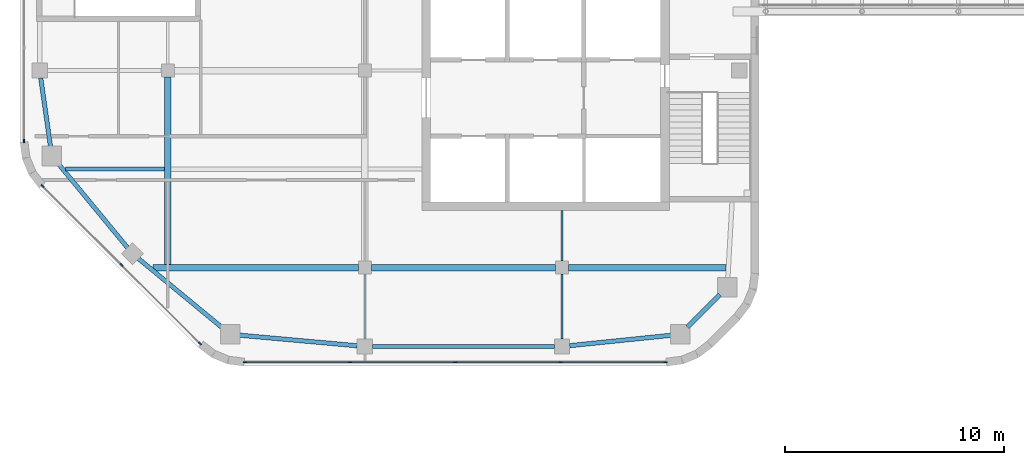
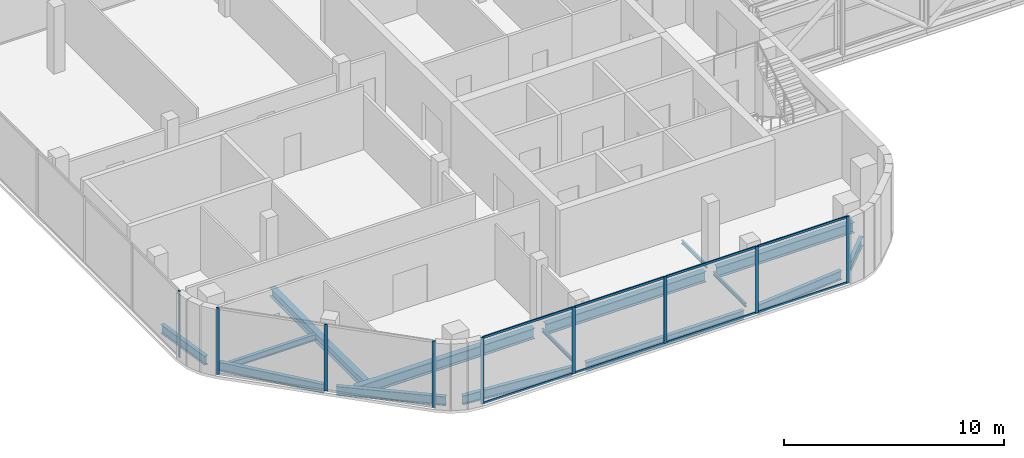
# One storey, part 2 of 21: 17 members, 15 beams, 3 elements without a shape of their own.
"""IFC4 building model written with IfcOpenShell, lengths in metres."""

from ifc_helpers import new_model, si_unit, direction, frame, origin, origin_2d, place, context, subcontext, project, spatial, rectangle, i_section, extrude, material, material_profile, profile_set, type_object, element, aggregate, save


model = new_model("IFC4")

# Units and contexts
model_context = context("Model", 3, precision=1e-05, world=origin(), true_north=direction((0.0, 1.0)))
body_context = subcontext(model_context, "Body", "Model", "MODEL_VIEW")
ifc_project = project(units=[si_unit("LENGTHUNIT", "METRE"), si_unit("AREAUNIT", "SQUARE_METRE"), si_unit("VOLUMEUNIT", "CUBIC_METRE"), si_unit("PLANEANGLEUNIT", "RADIAN"), si_unit("MASSUNIT", "GRAM", prefix="KILO")], contexts=[model_context])

# Site, building, storey
site_placement = place(None, origin())
site = spatial("IfcSite", under=ifc_project, at=site_placement, CompositionType="ELEMENT")
building_placement = place(site_placement, origin())
building = spatial("IfcBuilding", under=site, at=building_placement, Name="Cinnabar Reach Civic Tower", CompositionType="ELEMENT")
storey_placement = place(building_placement, frame((0.0, 0.0, 140.0)))
storey = spatial("IfcBuildingStorey", under=building, at=storey_placement, Name="L33", CompositionType="ELEMENT", Elevation=140.0)

# Beams
ifc_material_1 = material(Name="Steel Q355B", Category="steel")
ifc_material_profile_1 = material_profile(ifc_material_1, i_section(OverallWidth=0.3, OverallDepth=0.488, WebThickness=0.011, FlangeThickness=0.018, FilletRadius=0.016, at=origin_2d()), Name="HM488x300x11x18")
ifc_profile_set_1 = profile_set([ifc_material_profile_1], Name="Steel Q355B")
beam_type_1 = type_object("IfcBeamType", Name="HM488x300x11x18 beam R 120", PredefinedType="BEAM", material=ifc_profile_set_1)
beam_1_placement = place(storey_placement, frame((-54.0, 18.152, -0.394), z_axis=(0.0, 1.0, 0.0), x_axis=(-1.0, 0.0, 0.0)))
element("IfcBeam", 1, at=beam_1_placement, inside=storey, type_object=beam_type_1, Name="Girder T2 L33 1", PredefinedType="BEAM", context=body_context, shape_type="SweptSolid", body=[
    extrude(i_section(OverallWidth=0.3, OverallDepth=0.488, WebThickness=0.011, FlangeThickness=0.018, FilletRadius=0.016, at=origin_2d()), origin(), (0.0, 0.0, 1.0), 8.546),
])
ifc_material_profile_2 = material_profile(ifc_material_1, i_section(OverallWidth=0.3, OverallDepth=0.588, WebThickness=0.012, FlangeThickness=0.02, FilletRadius=0.016, at=origin_2d()), Name="HM588x300x12x20")
ifc_profile_set_2 = profile_set([ifc_material_profile_2], Name="Steel Q355B")
beam_type_2 = type_object("IfcBeamType", Name="HM588x300x12x20 beam R 120", PredefinedType="BEAM", material=ifc_profile_set_2)
beam_2_placement = place(storey_placement, frame((-54.6818, 18.0, -0.444), z_axis=(1.0, 0.0, 0.0), x_axis=(0.0, 1.0, 0.0)))
element("IfcBeam", 2, at=beam_2_placement, inside=storey, type_object=beam_type_2, Name="Girder T2 L33 1", PredefinedType="BEAM", context=body_context, shape_type="SweptSolid", body=[
    extrude(i_section(OverallWidth=0.3, OverallDepth=0.588, WebThickness=0.012, FlangeThickness=0.02, FilletRadius=0.016, at=origin_2d()), origin(), (0.0, 0.0, 1.0), 9.3798),
])
beam_3_placement = place(storey_placement, frame((-44.698, 18.0, -0.444), z_axis=(1.0, 0.0, 0.0), x_axis=(0.0, 1.0, 0.0)))
element("IfcBeam", 3, at=beam_3_placement, inside=storey, type_object=beam_type_2, Name="Girder T2 L33 2", PredefinedType="BEAM", context=body_context, shape_type="SweptSolid", body=[
    extrude(i_section(OverallWidth=0.3, OverallDepth=0.588, WebThickness=0.012, FlangeThickness=0.02, FilletRadius=0.016, at=origin_2d()), origin(), (0.0, 0.0, 1.0), 8.396),
])
beam_4_placement = place(storey_placement, frame((-35.698, 18.0, -0.444), z_axis=(1.0, 0.0, 0.0), x_axis=(0.0, 1.0, 0.0)))
element("IfcBeam", 4, at=beam_4_placement, inside=storey, type_object=beam_type_2, Name="Girder T2 L33 3", PredefinedType="BEAM", context=body_context, shape_type="SweptSolid", body=[
    extrude(i_section(OverallWidth=0.3, OverallDepth=0.588, WebThickness=0.012, FlangeThickness=0.02, FilletRadius=0.016, at=origin_2d()), origin(), (0.0, 0.0, 1.0), 7.1929),
])
ifc_material_profile_3 = material_profile(ifc_material_1, i_section(OverallWidth=0.099, OverallDepth=0.198, WebThickness=0.0045, FlangeThickness=0.007, FilletRadius=0.013, at=origin_2d()), Name="HN200x100x5.5x8")
ifc_profile_set_3 = profile_set([ifc_material_profile_3], Name="Steel Q355B")
beam_type_3 = type_object("IfcBeamType", Name="HN200x100x5.5x8 beam R 120", PredefinedType="BEAM", material=ifc_profile_set_3)
for number, where, z_axis, x_axis, name in (
    (5, (-45.0, 14.752, -0.249), (0.0, 1.0, 0.0), (-1.0, 0.0, 0.0), "Girder T2 L33 6"),
    (6, (-36.0, 14.752, -0.249), (0.0, 1.0, 0.0), (-1.0, 0.0, 0.0), "Girder T2 L33 11"),
):
    element("IfcBeam", number, at=place(storey_placement, frame(where, z_axis=z_axis, x_axis=x_axis)), inside=storey, type_object=beam_type_3, Name=name, PredefinedType="BEAM", context=body_context, shape_type="SweptSolid", body=[
        extrude(i_section(OverallWidth=0.099, OverallDepth=0.198, WebThickness=0.0045, FlangeThickness=0.007, FilletRadius=0.013, at=origin_2d()), origin(), (0.0, 0.0, 1.0), 2.946),
    ])
beam_5_placement = place(storey_placement, frame((-36.0, 18.302, -0.249), z_axis=(0.0, 1.0, 0.0), x_axis=(-1.0, 0.0, 0.0)))
element("IfcBeam", 7, at=beam_5_placement, inside=storey, type_object=beam_type_3, Name="Girder T2 L33 12", PredefinedType="BEAM", context=body_context, shape_type="SweptSolid", body=[
    extrude(i_section(OverallWidth=0.099, OverallDepth=0.198, WebThickness=0.0045, FlangeThickness=0.007, FilletRadius=0.013, at=origin_2d()), origin(), (0.0, 0.0, 1.0), 2.296),
])
ifc_material_profile_4 = material_profile(ifc_material_1, i_section(OverallWidth=0.175, OverallDepth=0.35, WebThickness=0.007, FlangeThickness=0.011, FilletRadius=0.013, at=origin_2d()), Name="HN350x175x7x11")
ifc_profile_set_4 = profile_set([ifc_material_profile_4], Name="Steel Q355B")
beam_type_4 = type_object("IfcBeamType", Name="HN350x175x7x11 beam R 120", PredefinedType="BEAM", material=ifc_profile_set_4)
beam_6_placement = place(storey_placement, frame((-58.6682, 22.5, -0.325), z_axis=(1.0, 0.0, 0.0), x_axis=(0.0, 1.0, 0.0)))
element("IfcBeam", 8, at=beam_6_placement, inside=storey, type_object=beam_type_4, Name="Secondary beam T2 L33 1", PredefinedType="BEAM", context=body_context, shape_type="SweptSolid", body=[
    extrude(i_section(OverallWidth=0.175, OverallDepth=0.35, WebThickness=0.007, FlangeThickness=0.011, FilletRadius=0.013, at=origin_2d()), origin(), (0.0, 0.0, 1.0), 4.5162),
])
ifc_material_profile_5 = material_profile(ifc_material_1, i_section(OverallWidth=0.2, OverallDepth=0.5, WebThickness=0.01, FlangeThickness=0.016, FilletRadius=0.016, at=origin_2d()), Name="HN500x200x10x16")
ifc_profile_set_5 = profile_set([ifc_material_profile_5], Name="Steel Q355B")
beam_type_5 = type_object("IfcBeamType", Name="HN500x200x10x16 beam R 120", PredefinedType="BEAM", material=ifc_profile_set_5)
beam_7_placement = place(storey_placement, frame((-50.8161, 14.9232, -0.4), z_axis=(0.99597881512, -0.089589060894, 0.0), x_axis=(0.089589060894, 0.99597881512, 0.0)))
element("IfcBeam", 9, at=beam_7_placement, inside=storey, type_object=beam_type_5, Name="Edge beam T2 L33 1", PredefinedType="BEAM", context=body_context, shape_type="SweptSolid", body=[
    extrude(i_section(OverallWidth=0.2, OverallDepth=0.5, WebThickness=0.01, FlangeThickness=0.016, FilletRadius=0.016, at=origin_2d()), origin(), (0.0, 0.0, 1.0), 5.4862),
])
beam_8_placement = place(storey_placement, frame((-44.648, 14.4, -0.4), z_axis=(1.0, 0.0, 0.0), x_axis=(0.0, 1.0, 0.0)))
element("IfcBeam", 10, at=beam_8_placement, inside=storey, type_object=beam_type_5, Name="Edge beam T2 L33 2", PredefinedType="BEAM", context=body_context, shape_type="SweptSolid", body=[
    extrude(i_section(OverallWidth=0.2, OverallDepth=0.5, WebThickness=0.01, FlangeThickness=0.016, FilletRadius=0.016, at=origin_2d()), origin(), (0.0, 0.0, 1.0), 8.296),
])
beam_9_placement = place(storey_placement, frame((-35.648, 14.4361, -0.4), z_axis=(0.994792087401, 0.101924986363, 0.0), x_axis=(-0.101924986363, 0.994792087401, 0.0)))
element("IfcBeam", 11, at=beam_9_placement, inside=storey, type_object=beam_type_5, Name="Edge beam T2 L33 3", PredefinedType="BEAM", context=body_context, shape_type="SweptSolid", body=[
    extrude(i_section(OverallWidth=0.2, OverallDepth=0.5, WebThickness=0.01, FlangeThickness=0.016, FilletRadius=0.016, at=origin_2d()), origin(), (0.0, 0.0, 1.0), 4.7388),
])
beam_10_placement = place(storey_placement, frame((-30.2699, 15.2851, -0.4), z_axis=(0.707106781187, 0.707106781187, 0.0), x_axis=(-0.707106781187, 0.707106781187, 0.0)))
element("IfcBeam", 12, at=beam_10_placement, inside=storey, type_object=beam_type_5, Name="Edge beam T2 L33 4", PredefinedType="BEAM", context=body_context, shape_type="SweptSolid", body=[
    extrude(i_section(OverallWidth=0.2, OverallDepth=0.5, WebThickness=0.01, FlangeThickness=0.016, FilletRadius=0.016, at=origin_2d()), origin(), (0.0, 0.0, 1.0), 2.0998),
])
beam_11_placement = place(storey_placement, frame((-59.8001, 26.648, -0.4), z_axis=(0.140498398047, -0.990080905859, 0.0), x_axis=(0.990080905859, 0.140498398047, 0.0)))
element("IfcBeam", 13, at=beam_11_placement, inside=storey, type_object=beam_type_5, Name="Edge beam T2 L33 15", PredefinedType="BEAM", context=body_context, shape_type="SweptSolid", body=[
    extrude(i_section(OverallWidth=0.2, OverallDepth=0.5, WebThickness=0.01, FlangeThickness=0.016, FilletRadius=0.016, at=origin_2d()), origin(), (0.0, 0.0, 1.0), 3.2463),
])
for number, where, z_axis, x_axis, name in (
    (14, (-59.0231, 22.7699, -0.4), (0.636307764727, -0.771435304189, 0.0), (0.771435304189, 0.636307764727, 0.0), "Edge beam T2 L33 16"),
    (15, (-55.3873, 18.4497, -0.4), (0.771435304189, -0.636307764727, 0.0), (0.636307764727, 0.771435304189, 0.0), "Edge beam T2 L33 17"),
):
    element("IfcBeam", number, at=place(storey_placement, frame(where, z_axis=z_axis, x_axis=x_axis)), inside=storey, type_object=beam_type_5, Name=name, PredefinedType="BEAM", context=body_context, shape_type="SweptSolid", body=[
        extrude(i_section(OverallWidth=0.2, OverallDepth=0.5, WebThickness=0.01, FlangeThickness=0.016, FilletRadius=0.016, at=origin_2d()), origin(), (0.0, 0.0, 1.0), 5.0648),
    ])

# Curtain wall, members
ifc_material_2 = material(Name="Aluminium and clear double glazing", Category="aluminium")
curtain_wall_type = type_object("IfcCurtainWallType", Name="Tower 2 sky lobby and amenity curtain wall", PredefinedType="NOTDEFINED", material=ifc_material_2)
curtain_wall_1_placement = place(storey_placement, origin())
curtain_wall_1 = element("IfcCurtainWall", 16, at=curtain_wall_1_placement, inside=storey, type_object=curtain_wall_type, Name="Tower 2 sky lobby and amenity 5", PredefinedType="NOTDEFINED")
ifc_material_3 = material(Name="Aluminium", Category="aluminium")
ifc_material_profile_6 = material_profile(ifc_material_3, rectangle(XDim=0.06, YDim=0.16, at=origin_2d()), Name="Tower 2 sky lobby and amenity mullion")
ifc_profile_set_6 = profile_set([ifc_material_profile_6], Name="Aluminium")
member_type_1 = type_object("IfcMemberType", Name="Tower 2 sky lobby and amenity mullion", PredefinedType="MULLION", material=ifc_profile_set_6)
member_1_placement = place(storey_placement, frame((-50.4774, 13.68, 0.0), z_axis=(0.0, 0.0, 1.0), x_axis=(0.0, 1.0, 0.0)))
member_1 = element("IfcMember", 17, at=member_1_placement, type_object=member_type_1, Name="CW-T2SKY-5 mullion 1", PredefinedType="MULLION", context=body_context, shape_type="SweptSolid", body=[
    extrude(rectangle(XDim=0.06, YDim=0.16, at=origin_2d()), origin(), (0.0, 0.0, 1.0), 3.7),
])
member_2_placement = place(storey_placement, frame((-45.6912, 13.68, 0.0), z_axis=(0.0, 0.0, 1.0), x_axis=(0.0, 1.0, 0.0)))
member_2 = element("IfcMember", 18, at=member_2_placement, type_object=member_type_1, Name="CW-T2SKY-5 mullion 2", PredefinedType="MULLION", context=body_context, shape_type="SweptSolid", body=[
    extrude(rectangle(XDim=0.06, YDim=0.16, at=origin_2d()), origin(), (0.0, 0.0, 1.0), 3.7),
])
member_3_placement = place(storey_placement, frame((-40.875, 13.68, 0.0), z_axis=(0.0, 0.0, 1.0), x_axis=(0.0, 1.0, 0.0)))
member_3 = element("IfcMember", 19, at=member_3_placement, type_object=member_type_1, Name="CW-T2SKY-5 mullion 3", PredefinedType="MULLION", context=body_context, shape_type="SweptSolid", body=[
    extrude(rectangle(XDim=0.06, YDim=0.16, at=origin_2d()), origin(), (0.0, 0.0, 1.0), 3.7),
])
member_4_placement = place(storey_placement, frame((-36.0588, 13.68, 0.0), z_axis=(0.0, 0.0, 1.0), x_axis=(0.0, 1.0, 0.0)))
member_4 = element("IfcMember", 20, at=member_4_placement, type_object=member_type_1, Name="CW-T2SKY-5 mullion 4", PredefinedType="MULLION", context=body_context, shape_type="SweptSolid", body=[
    extrude(rectangle(XDim=0.06, YDim=0.16, at=origin_2d()), origin(), (0.0, 0.0, 1.0), 3.7),
])
member_5_placement = place(storey_placement, frame((-31.2726, 13.68, 0.0), z_axis=(0.0, 0.0, 1.0), x_axis=(0.0, 1.0, 0.0)))
member_5 = element("IfcMember", 21, at=member_5_placement, type_object=member_type_1, Name="CW-T2SKY-5 mullion 5", PredefinedType="MULLION", context=body_context, shape_type="SweptSolid", body=[
    extrude(rectangle(XDim=0.06, YDim=0.16, at=origin_2d()), origin(), (0.0, 0.0, 1.0), 3.7),
])

# Curtain wall, member
curtain_wall_2_placement = place(storey_placement, origin())
curtain_wall_2 = element("IfcCurtainWall", 22, at=curtain_wall_2_placement, inside=storey, type_object=curtain_wall_type, Name="Tower 2 sky lobby and amenity 7", PredefinedType="NOTDEFINED")
member_6_placement = place(storey_placement, frame((-60.57, 23.7726, 0.0), z_axis=(0.0, 0.0, 1.0), x_axis=(1.0, 0.0, 0.0)))
member_6 = element("IfcMember", 23, at=member_6_placement, type_object=member_type_1, Name="CW-T2SKY-7 mullion 6", PredefinedType="MULLION", context=body_context, shape_type="SweptSolid", body=[
    extrude(rectangle(XDim=0.06, YDim=0.16, at=origin_2d()), origin(), (0.0, 0.0, 1.0), 3.7),
])
aggregate(curtain_wall_2, [member_6])

# Curtain wall, members
curtain_wall_3_placement = place(storey_placement, origin())
curtain_wall_3 = element("IfcCurtainWall", 24, at=curtain_wall_3_placement, inside=storey, type_object=curtain_wall_type, Name="Tower 2 sky lobby and amenity 8", PredefinedType="NOTDEFINED")
member_7_placement = place(storey_placement, frame((-59.7228, 21.7274, 0.0), z_axis=(0.0, 0.0, 1.0), x_axis=(0.707106781187, 0.707106781187, 0.0)))
member_7 = element("IfcMember", 25, at=member_7_placement, type_object=member_type_1, Name="CW-T2SKY-8 mullion 1", PredefinedType="MULLION", context=body_context, shape_type="SweptSolid", body=[
    extrude(rectangle(XDim=0.06, YDim=0.16, at=origin_2d()), origin(), (0.0, 0.0, 1.0), 3.7),
])
member_8_placement = place(storey_placement, frame((-56.1227, 18.1273, 0.0), z_axis=(0.0, 0.0, 1.0), x_axis=(0.707106781187, 0.707106781187, 0.0)))
member_8 = element("IfcMember", 26, at=member_8_placement, type_object=member_type_1, Name="CW-T2SKY-8 mullion 2", PredefinedType="MULLION", context=body_context, shape_type="SweptSolid", body=[
    extrude(rectangle(XDim=0.06, YDim=0.16, at=origin_2d()), origin(), (0.0, 0.0, 1.0), 3.7),
])
member_9_placement = place(storey_placement, frame((-52.5226, 14.5272, 0.0), z_axis=(0.0, 0.0, 1.0), x_axis=(0.707106781187, 0.707106781187, 0.0)))
member_9 = element("IfcMember", 27, at=member_9_placement, type_object=member_type_1, Name="CW-T2SKY-8 mullion 3", PredefinedType="MULLION", context=body_context, shape_type="SweptSolid", body=[
    extrude(rectangle(XDim=0.06, YDim=0.16, at=origin_2d()), origin(), (0.0, 0.0, 1.0), 3.7),
])
aggregate(curtain_wall_3, [member_7, member_8, member_9])

# Member
ifc_material_profile_7 = material_profile(ifc_material_3, rectangle(XDim=0.06, YDim=0.12, at=origin_2d()), Name="Tower 2 sky lobby and amenity transom")
ifc_profile_set_7 = profile_set([ifc_material_profile_7], Name="Aluminium")
member_type_2 = type_object("IfcMemberType", Name="Tower 2 sky lobby and amenity transom", PredefinedType="USERDEFINED", material=ifc_profile_set_7)
member_10_placement = place(storey_placement, frame((-50.4474, 13.68, 0.03), z_axis=(1.0, 0.0, 0.0), x_axis=(0.0, 1.0, 0.0)))
member_10 = element("IfcMember", 28, at=member_10_placement, type_object=member_type_2, Name="CW-T2SKY-5 transom 1.1", ObjectType="TRANSOM", PredefinedType="USERDEFINED", context=body_context, shape_type="SweptSolid", body=[
    extrude(rectangle(XDim=0.06, YDim=0.12, at=origin_2d()), origin(), (0.0, 0.0, 1.0), 4.7262),
])

member_11_placement = place(storey_placement, frame((-50.4474, 13.68, 3.67), z_axis=(1.0, 0.0, 0.0), x_axis=(0.0, 1.0, 0.0)))
member_11 = element("IfcMember", 29, at=member_11_placement, type_object=member_type_2, Name="CW-T2SKY-5 transom 1.2", ObjectType="TRANSOM", PredefinedType="USERDEFINED", context=body_context, shape_type="SweptSolid", body=[
    extrude(rectangle(XDim=0.06, YDim=0.12, at=origin_2d()), origin(), (0.0, 0.0, 1.0), 4.7262),
])

member_12_placement = place(storey_placement, frame((-45.6612, 13.68, 0.03), z_axis=(1.0, 0.0, 0.0), x_axis=(0.0, 1.0, 0.0)))
member_12 = element("IfcMember", 30, at=member_12_placement, type_object=member_type_2, Name="CW-T2SKY-5 transom 2.1", ObjectType="TRANSOM", PredefinedType="USERDEFINED", context=body_context, shape_type="SweptSolid", body=[
    extrude(rectangle(XDim=0.06, YDim=0.12, at=origin_2d()), origin(), (0.0, 0.0, 1.0), 4.7562),
])

member_13_placement = place(storey_placement, frame((-45.6612, 13.68, 3.67), z_axis=(1.0, 0.0, 0.0), x_axis=(0.0, 1.0, 0.0)))
member_13 = element("IfcMember", 31, at=member_13_placement, type_object=member_type_2, Name="CW-T2SKY-5 transom 2.2", ObjectType="TRANSOM", PredefinedType="USERDEFINED", context=body_context, shape_type="SweptSolid", body=[
    extrude(rectangle(XDim=0.06, YDim=0.12, at=origin_2d()), origin(), (0.0, 0.0, 1.0), 4.7562),
])

member_14_placement = place(storey_placement, frame((-40.845, 13.68, 0.03), z_axis=(1.0, 0.0, 0.0), x_axis=(0.0, 1.0, 0.0)))
member_14 = element("IfcMember", 32, at=member_14_placement, type_object=member_type_2, Name="CW-T2SKY-5 transom 3.1", ObjectType="TRANSOM", PredefinedType="USERDEFINED", context=body_context, shape_type="SweptSolid", body=[
    extrude(rectangle(XDim=0.06, YDim=0.12, at=origin_2d()), origin(), (0.0, 0.0, 1.0), 4.7562),
])

member_15_placement = place(storey_placement, frame((-40.845, 13.68, 3.67), z_axis=(1.0, 0.0, 0.0), x_axis=(0.0, 1.0, 0.0)))
member_15 = element("IfcMember", 33, at=member_15_placement, type_object=member_type_2, Name="CW-T2SKY-5 transom 3.2", ObjectType="TRANSOM", PredefinedType="USERDEFINED", context=body_context, shape_type="SweptSolid", body=[
    extrude(rectangle(XDim=0.06, YDim=0.12, at=origin_2d()), origin(), (0.0, 0.0, 1.0), 4.7562),
])

member_16_placement = place(storey_placement, frame((-36.0288, 13.68, 0.03), z_axis=(1.0, 0.0, 0.0), x_axis=(0.0, 1.0, 0.0)))
member_16 = element("IfcMember", 34, at=member_16_placement, type_object=member_type_2, Name="CW-T2SKY-5 transom 4.1", ObjectType="TRANSOM", PredefinedType="USERDEFINED", context=body_context, shape_type="SweptSolid", body=[
    extrude(rectangle(XDim=0.06, YDim=0.12, at=origin_2d()), origin(), (0.0, 0.0, 1.0), 4.7262),
])

member_17_placement = place(storey_placement, frame((-36.0288, 13.68, 3.67), z_axis=(1.0, 0.0, 0.0), x_axis=(0.0, 1.0, 0.0)))
member_17 = element("IfcMember", 35, at=member_17_placement, type_object=member_type_2, Name="CW-T2SKY-5 transom 4.2", ObjectType="TRANSOM", PredefinedType="USERDEFINED", context=body_context, shape_type="SweptSolid", body=[
    extrude(rectangle(XDim=0.06, YDim=0.12, at=origin_2d()), origin(), (0.0, 0.0, 1.0), 4.7262),
])

aggregate(curtain_wall_1, [member_1, member_2, member_3, member_4, member_5, member_10, member_11, member_12, member_13, member_14, member_15, member_16, member_17])

save(model, "model.ifc")
